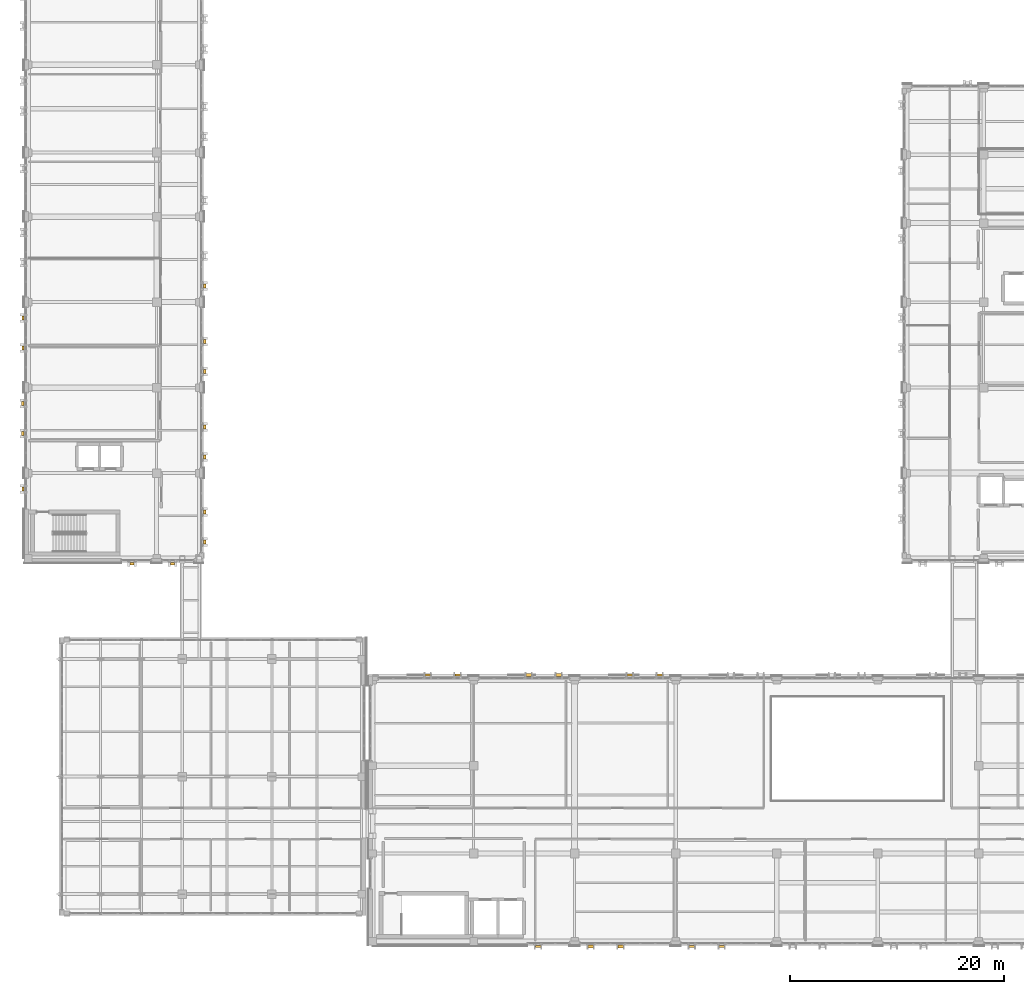
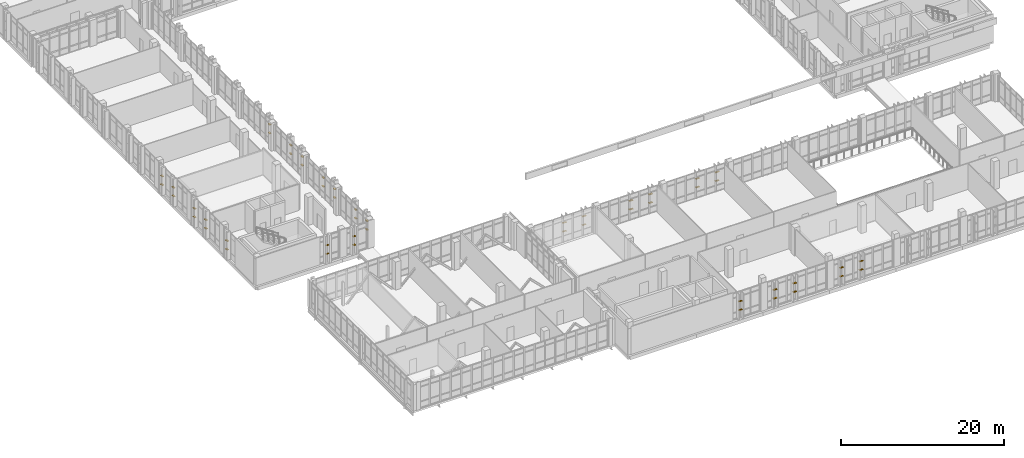
# One storey, part 155 of 158: 50 shading devices.
"""IFC4 building model written with IfcOpenShell, lengths in metres."""

from ifc_helpers import new_model, si_unit, direction, frame, origin, origin_2d, place, context, subcontext, project, spatial, rectangle, extrude, material, type_object, element, save


model = new_model("IFC4")

# Units and contexts
model_context = context("Model", 3, precision=1e-05, world=origin(), true_north=direction((0.0, 1.0)))
body_context = subcontext(model_context, "Body", "Model", "MODEL_VIEW")
ifc_project = project(units=[si_unit("LENGTHUNIT", "METRE"), si_unit("AREAUNIT", "SQUARE_METRE"), si_unit("VOLUMEUNIT", "CUBIC_METRE"), si_unit("PLANEANGLEUNIT", "RADIAN"), si_unit("MASSUNIT", "GRAM", prefix="KILO")], contexts=[model_context])

# Site, building, storey
site_placement = place(None, origin())
site = spatial("IfcSite", under=ifc_project, at=site_placement, CompositionType="ELEMENT")
building_placement = place(site_placement, origin())
building = spatial("IfcBuilding", under=site, at=building_placement, Name="Qalavern Law Courts", CompositionType="ELEMENT")
storey_placement = place(building_placement, frame((0.0, 0.0, 18.60009765625)))
storey = spatial("IfcBuildingStorey", under=building, at=storey_placement, Name="L04", CompositionType="ELEMENT", Elevation=18.60009765625)

# Shading devices
ifc_material = material(Name="Anodised aluminium", Category="aluminium")
shading_device_type_1 = type_object("IfcShadingDeviceType", Name="ENV-LOUV-1", PredefinedType="JALOUSIE", material=ifc_material)
for number, where, z_axis, x_axis, name in (
    (1, (50.10009765625, 5.090087890625, 1.343505859375), (0.0, 0.0, 1.0), (1.0, 0.0, 0.0), "Horizontal sun louvre V2-L04-0-1"),
    (2, (50.10009765625, 5.090087890625, 2.638916015625), (0.0, 0.0, 1.0), (1.0, 0.0, 0.0), "Horizontal sun louvre V2-L04-0-2"),
    (3, (64.48291015625, 5.090087890625, 1.343505859375), (0.0, 0.0, 1.0), (1.0, 0.0, 0.0), "Horizontal sun louvre V2-L04-0-1"),
    (4, (64.48291015625, 5.090087890625, 2.638916015625), (0.0, 0.0, 1.0), (1.0, 0.0, 0.0), "Horizontal sun louvre V2-L04-0-2"),
    (5, (67.282958984375, 5.090087890625, 1.343505859375), (0.0, 0.0, 1.0), (1.0, 0.0, 0.0), "Horizontal sun louvre V2-L04-1-1"),
    (6, (67.282958984375, 5.090087890625, 2.638916015625), (0.0, 0.0, 1.0), (1.0, 0.0, 0.0), "Horizontal sun louvre V2-L04-1-2"),
    (7, (61.48291015625, 30.510009765625, 1.343505859375), (0.0, 0.0, 1.0), (-1.0, 0.0, 0.0), "Horizontal sun louvre V2-L04-0-1"),
    (8, (61.48291015625, 30.510009765625, 2.638916015625), (0.0, 0.0, 1.0), (-1.0, 0.0, 0.0), "Horizontal sun louvre V2-L04-0-2"),
    (9, (58.682861328125, 30.510009765625, 1.343505859375), (0.0, 0.0, 1.0), (-1.0, 0.0, 0.0), "Horizontal sun louvre V2-L04-1-1"),
    (10, (58.682861328125, 30.510009765625, 2.638916015625), (0.0, 0.0, 1.0), (-1.0, 0.0, 0.0), "Horizontal sun louvre V2-L04-1-2"),
    (11, (42.57421875, 30.510009765625, 1.343505859375), (0.0, 0.0, 1.0), (-1.0, 0.0, 0.0), "Horizontal sun louvre V2-L04-0-1"),
    (12, (42.57421875, 30.510009765625, 2.638916015625), (0.0, 0.0, 1.0), (-1.0, 0.0, 0.0), "Horizontal sun louvre V2-L04-0-2"),
    (13, (39.7744140625, 30.510009765625, 1.343505859375), (0.0, 0.0, 1.0), (-1.0, 0.0, 0.0), "Horizontal sun louvre V2-L04-1-1"),
    (14, (39.7744140625, 30.510009765625, 2.638916015625), (0.0, 0.0, 1.0), (-1.0, 0.0, 0.0), "Horizontal sun louvre V2-L04-1-2"),
):
    element("IfcShadingDevice", number, at=place(storey_placement, frame(where, z_axis=z_axis, x_axis=x_axis)), inside=storey, type_object=shading_device_type_1, Name=name, PredefinedType="JALOUSIE", context=body_context, shape_type="SweptSolid", body=[
        extrude(rectangle(XDim=0.514892578125, YDim=0.2099609375, at=origin_2d()), origin(), (0.0, 0.0, 1.0), 0.06005859375),
    ])
for number, where, z_axis, x_axis, name in (
    (15, (12.10009765625, 40.909912109375, 1.343505859375), (0.0, 0.0, 1.0), (1.0, 0.0, 0.0), "Horizontal sun louvre V3-L04-0-1"),
    (16, (12.10009765625, 40.909912109375, 2.638916015625), (0.0, 0.0, 1.0), (1.0, 0.0, 0.0), "Horizontal sun louvre V3-L04-0-2"),
    (17, (18.909912109375, 42.965087890625, 1.343505859375), (0.0, 0.0, 1.0), (0.0, 1.0, 0.0), "Horizontal sun louvre V3-L04-0-1"),
    (18, (18.909912109375, 42.965087890625, 2.638916015625), (0.0, 0.0, 1.0), (0.0, 1.0, 0.0), "Horizontal sun louvre V3-L04-0-2"),
    (19, (18.909912109375, 45.764892578125, 1.343505859375), (0.0, 0.0, 1.0), (0.0, 1.0, 0.0), "Horizontal sun louvre V3-L04-1-1"),
    (20, (18.909912109375, 45.764892578125, 2.638916015625), (0.0, 0.0, 1.0), (0.0, 1.0, 0.0), "Horizontal sun louvre V3-L04-1-2"),
    (21, (18.909912109375, 58.89990234375, 1.343505859375), (0.0, 0.0, 1.0), (0.0, 1.0, 0.0), "Horizontal sun louvre V3-L04-0-1"),
    (22, (18.909912109375, 58.89990234375, 2.638916015625), (0.0, 0.0, 1.0), (0.0, 1.0, 0.0), "Horizontal sun louvre V3-L04-0-2"),
    (23, (18.909912109375, 61.699951171875, 1.343505859375), (0.0, 0.0, 1.0), (0.0, 1.0, 0.0), "Horizontal sun louvre V3-L04-1-1"),
    (24, (18.909912109375, 61.699951171875, 2.638916015625), (0.0, 0.0, 1.0), (0.0, 1.0, 0.0), "Horizontal sun louvre V3-L04-1-2"),
    (25, (1.889892578125, 63.89990234375, 1.343505859375), (0.0, 0.0, 1.0), (0.0, -1.0, 0.0), "Horizontal sun louvre V3-L04-0-1"),
    (26, (1.889892578125, 63.89990234375, 2.638916015625), (0.0, 0.0, 1.0), (0.0, -1.0, 0.0), "Horizontal sun louvre V3-L04-0-2"),
    (27, (1.889892578125, 61.10009765625, 1.343505859375), (0.0, 0.0, 1.0), (0.0, -1.0, 0.0), "Horizontal sun louvre V3-L04-1-1"),
    (28, (1.889892578125, 61.10009765625, 2.638916015625), (0.0, 0.0, 1.0), (0.0, -1.0, 0.0), "Horizontal sun louvre V3-L04-1-2"),
    (29, (1.889892578125, 47.89990234375, 1.343505859375), (0.0, 0.0, 1.0), (0.0, -1.0, 0.0), "Horizontal sun louvre V3-L04-0-1"),
    (30, (1.889892578125, 47.89990234375, 2.638916015625), (0.0, 0.0, 1.0), (0.0, -1.0, 0.0), "Horizontal sun louvre V3-L04-0-2"),
):
    element("IfcShadingDevice", number, at=place(storey_placement, frame(where, z_axis=z_axis, x_axis=x_axis)), inside=storey, type_object=shading_device_type_1, Name=name, PredefinedType="JALOUSIE", context=body_context, shape_type="SweptSolid", body=[
        extrude(rectangle(XDim=0.389892578125, YDim=0.2099609375, at=origin_2d()), origin(), (0.0, 0.0, 1.0), 0.06005859375),
    ])
shading_device_type_2 = type_object("IfcShadingDeviceType", Name="ENV-LOUV-2", PredefinedType="JALOUSIE", material=ifc_material)
for number, where, z_axis, x_axis, name in (
    (31, (55.028564453125, 5.090087890625, 1.343505859375), (0.0, 0.0, 1.0), (1.0, 0.0, 0.0), "Horizontal sun louvre V2-L04-0-1"),
    (32, (55.028564453125, 5.090087890625, 2.638916015625), (0.0, 0.0, 1.0), (1.0, 0.0, 0.0), "Horizontal sun louvre V2-L04-0-2"),
    (33, (57.82861328125, 5.090087890625, 1.343505859375), (0.0, 0.0, 1.0), (1.0, 0.0, 0.0), "Horizontal sun louvre V2-L04-1-1"),
    (34, (57.82861328125, 5.090087890625, 2.638916015625), (0.0, 0.0, 1.0), (1.0, 0.0, 0.0), "Horizontal sun louvre V2-L04-1-2"),
    (35, (52.028564453125, 30.510009765625, 1.343505859375), (0.0, 0.0, 1.0), (-1.0, 0.0, 0.0), "Horizontal sun louvre V2-L04-0-1"),
    (36, (52.028564453125, 30.510009765625, 2.638916015625), (0.0, 0.0, 1.0), (-1.0, 0.0, 0.0), "Horizontal sun louvre V2-L04-0-2"),
    (37, (49.228515625, 30.510009765625, 1.343505859375), (0.0, 0.0, 1.0), (-1.0, 0.0, 0.0), "Horizontal sun louvre V2-L04-1-1"),
    (38, (49.228515625, 30.510009765625, 2.638916015625), (0.0, 0.0, 1.0), (-1.0, 0.0, 0.0), "Horizontal sun louvre V2-L04-1-2"),
):
    element("IfcShadingDevice", number, at=place(storey_placement, frame(where, z_axis=z_axis, x_axis=x_axis)), inside=storey, type_object=shading_device_type_2, Name=name, PredefinedType="JALOUSIE", context=body_context, shape_type="SweptSolid", body=[
        extrude(rectangle(XDim=0.514892578125, YDim=0.25, at=origin_2d()), origin(), (0.0, 0.0, 1.0), 0.06005859375),
    ])
for number, where, z_axis, x_axis, name in (
    (39, (15.89990234375, 40.909912109375, 1.343505859375), (0.0, 0.0, 1.0), (1.0, 0.0, 0.0), "Horizontal sun louvre V3-L04-0-1"),
    (40, (15.89990234375, 40.909912109375, 2.638916015625), (0.0, 0.0, 1.0), (1.0, 0.0, 0.0), "Horizontal sun louvre V3-L04-0-2"),
    (41, (18.909912109375, 50.89990234375, 1.343505859375), (0.0, 0.0, 1.0), (0.0, 1.0, 0.0), "Horizontal sun louvre V3-L04-0-1"),
    (42, (18.909912109375, 50.89990234375, 2.638916015625), (0.0, 0.0, 1.0), (0.0, 1.0, 0.0), "Horizontal sun louvre V3-L04-0-2"),
    (43, (18.909912109375, 53.699951171875, 1.343505859375), (0.0, 0.0, 1.0), (0.0, 1.0, 0.0), "Horizontal sun louvre V3-L04-1-1"),
    (44, (18.909912109375, 53.699951171875, 2.638916015625), (0.0, 0.0, 1.0), (0.0, 1.0, 0.0), "Horizontal sun louvre V3-L04-1-2"),
    (45, (18.909912109375, 66.89990234375, 1.343505859375), (0.0, 0.0, 1.0), (0.0, 1.0, 0.0), "Horizontal sun louvre V3-L04-0-1"),
    (46, (18.909912109375, 66.89990234375, 2.638916015625), (0.0, 0.0, 1.0), (0.0, 1.0, 0.0), "Horizontal sun louvre V3-L04-0-2"),
    (47, (1.889892578125, 55.89990234375, 1.343505859375), (0.0, 0.0, 1.0), (0.0, -1.0, 0.0), "Horizontal sun louvre V3-L04-0-1"),
    (48, (1.889892578125, 55.89990234375, 2.638916015625), (0.0, 0.0, 1.0), (0.0, -1.0, 0.0), "Horizontal sun louvre V3-L04-0-2"),
    (49, (1.889892578125, 53.10009765625, 1.343505859375), (0.0, 0.0, 1.0), (0.0, -1.0, 0.0), "Horizontal sun louvre V3-L04-1-1"),
    (50, (1.889892578125, 53.10009765625, 2.638916015625), (0.0, 0.0, 1.0), (0.0, -1.0, 0.0), "Horizontal sun louvre V3-L04-1-2"),
):
    element("IfcShadingDevice", number, at=place(storey_placement, frame(where, z_axis=z_axis, x_axis=x_axis)), inside=storey, type_object=shading_device_type_2, Name=name, PredefinedType="JALOUSIE", context=body_context, shape_type="SweptSolid", body=[
        extrude(rectangle(XDim=0.389892578125, YDim=0.25, at=origin_2d()), origin(), (0.0, 0.0, 1.0), 0.06005859375),
    ])

save(model, "model.ifc")
